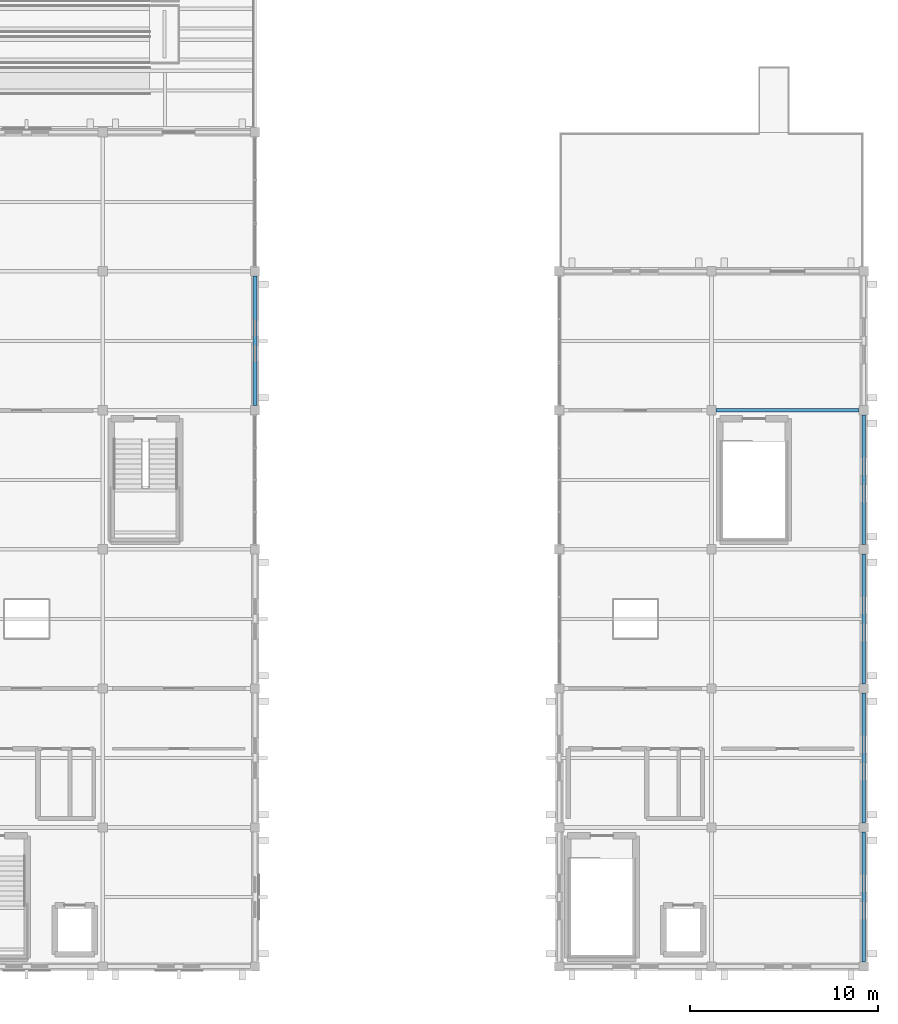
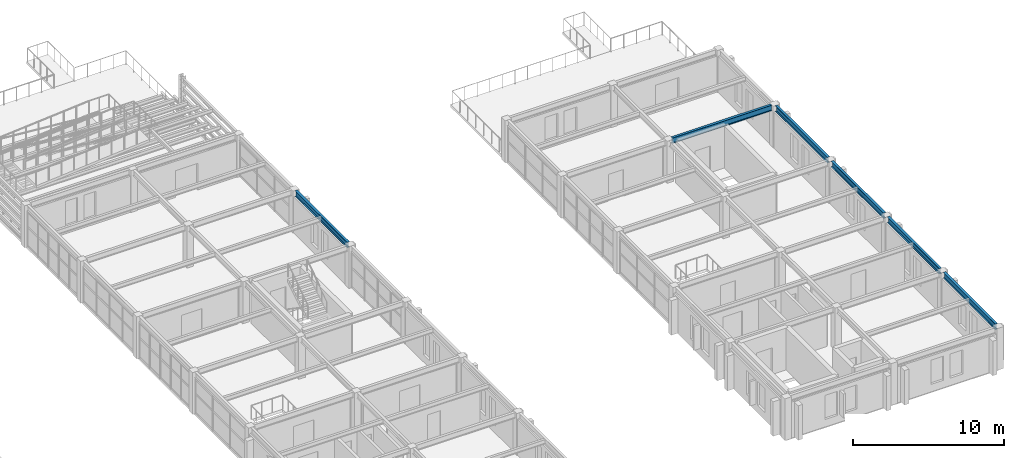
# One storey, part 68 of 93: 6 beams.
"""IFC4 building model written with IfcOpenShell, lengths in metres."""

from ifc_helpers import new_model, si_unit, direction, frame, origin, origin_2d, place, context, subcontext, project, spatial, i_section, extrude, material, material_profile, profile_set, type_object, element, save


model = new_model("IFC4")

# Units and contexts
model_context = context("Model", 3, precision=1e-05, world=origin(), true_north=direction((0.0, 1.0)))
body_context = subcontext(model_context, "Body", "Model", "MODEL_VIEW")
ifc_project = project(units=[si_unit("LENGTHUNIT", "METRE"), si_unit("AREAUNIT", "SQUARE_METRE"), si_unit("VOLUMEUNIT", "CUBIC_METRE"), si_unit("PLANEANGLEUNIT", "RADIAN"), si_unit("MASSUNIT", "GRAM", prefix="KILO")], contexts=[model_context])

# Site, building, storey
site_placement = place(None, origin())
site = spatial("IfcSite", under=ifc_project, at=site_placement, CompositionType="ELEMENT")
building_placement = place(site_placement, origin())
building = spatial("IfcBuilding", under=site, at=building_placement, Name="Cimatlan Art Gallery", CompositionType="ELEMENT")
storey_placement = place(building_placement, frame((0.0, 0.0, 13.800048828125)))
storey = spatial("IfcBuildingStorey", under=building, at=storey_placement, Name="L03", CompositionType="ELEMENT", Elevation=13.800048828125)

# Beams
ifc_material = material(Name="Steel ASTM A992 Grade 50", Category="steel")
ifc_material_profile = material_profile(ifc_material, i_section(OverallWidth=0.19091796875, OverallDepth=0.45703125, WebThickness=0.009033203125, FlangeThickness=0.014404296875, at=origin_2d()), Name="W18X50")
ifc_profile_set = profile_set([ifc_material_profile], Name="Steel ASTM A992 Grade 50")
beam_type = type_object("IfcBeamType", Name="BM-STL-W18X50", PredefinedType="BEAM", material=ifc_profile_set)
beam_1_placement = place(storey_placement, frame((131.60009765625, 53.75, 3.1513671875), z_axis=(0.0, 1.0, 0.0), x_axis=(-1.0, 0.0, 0.0)))
element("IfcBeam", 1, at=beam_1_placement, inside=storey, type_object=beam_type, Name="BM-Y-L03-16-07", PredefinedType="BEAM", context=body_context, shape_type="SweptSolid", body=[
    extrude(i_section(OverallWidth=0.19091796875, OverallDepth=0.45703125, WebThickness=0.009033203125, FlangeThickness=0.014404296875, at=origin_2d()), origin(), (0.0, 0.0, 1.0), 6.89990234375),
])
beam_2_placement = place(storey_placement, frame((164.0, 24.14990234375, 3.1513671875), z_axis=(0.0, 1.0, 0.0), x_axis=(-1.0, 0.0, 0.0)))
element("IfcBeam", 2, at=beam_2_placement, inside=storey, type_object=beam_type, Name="BM-Y-L03-20-03", PredefinedType="BEAM", context=body_context, shape_type="SweptSolid", body=[
    extrude(i_section(OverallWidth=0.19091796875, OverallDepth=0.45703125, WebThickness=0.009033203125, FlangeThickness=0.014404296875, at=origin_2d()), origin(), (0.0, 0.0, 1.0), 6.900146484375),
])
beam_3_placement = place(storey_placement, frame((164.0, 31.550048828125, 3.1513671875), z_axis=(0.0, 1.0, 0.0), x_axis=(-1.0, 0.0, 0.0)))
element("IfcBeam", 3, at=beam_3_placement, inside=storey, type_object=beam_type, Name="BM-Y-L03-20-04", PredefinedType="BEAM", context=body_context, shape_type="SweptSolid", body=[
    extrude(i_section(OverallWidth=0.19091796875, OverallDepth=0.45703125, WebThickness=0.009033203125, FlangeThickness=0.014404296875, at=origin_2d()), origin(), (0.0, 0.0, 1.0), 6.89990234375),
])
beam_4_placement = place(storey_placement, frame((164.0, 38.949951171875, 3.1513671875), z_axis=(0.0, 1.0, 0.0), x_axis=(-1.0, 0.0, 0.0)))
element("IfcBeam", 4, at=beam_4_placement, inside=storey, type_object=beam_type, Name="BM-Y-L03-20-05", PredefinedType="BEAM", context=body_context, shape_type="SweptSolid", body=[
    extrude(i_section(OverallWidth=0.19091796875, OverallDepth=0.45703125, WebThickness=0.009033203125, FlangeThickness=0.014404296875, at=origin_2d()), origin(), (0.0, 0.0, 1.0), 6.900146484375),
])
beam_5_placement = place(storey_placement, frame((164.0, 46.35009765625, 3.1513671875), z_axis=(0.0, 1.0, 0.0), x_axis=(-1.0, 0.0, 0.0)))
element("IfcBeam", 5, at=beam_5_placement, inside=storey, type_object=beam_type, Name="BM-Y-L03-20-06", PredefinedType="BEAM", context=body_context, shape_type="SweptSolid", body=[
    extrude(i_section(OverallWidth=0.19091796875, OverallDepth=0.45703125, WebThickness=0.009033203125, FlangeThickness=0.014404296875, at=origin_2d()), origin(), (0.0, 0.0, 1.0), 6.89990234375),
])
beam_6_placement = place(storey_placement, frame((156.14990234375, 53.5, 3.1513671875), z_axis=(1.0, 0.0, 0.0), x_axis=(0.0, 1.0, 0.0)))
element("IfcBeam", 6, at=beam_6_placement, inside=storey, type_object=beam_type, Name="BM-X-L03-19-07", PredefinedType="BEAM", context=body_context, shape_type="SweptSolid", body=[
    extrude(i_section(OverallWidth=0.19091796875, OverallDepth=0.45703125, WebThickness=0.009033203125, FlangeThickness=0.014404296875, at=origin_2d()), origin(), (0.0, 0.0, 1.0), 7.60009765625),
])

save(model, "model.ifc")
